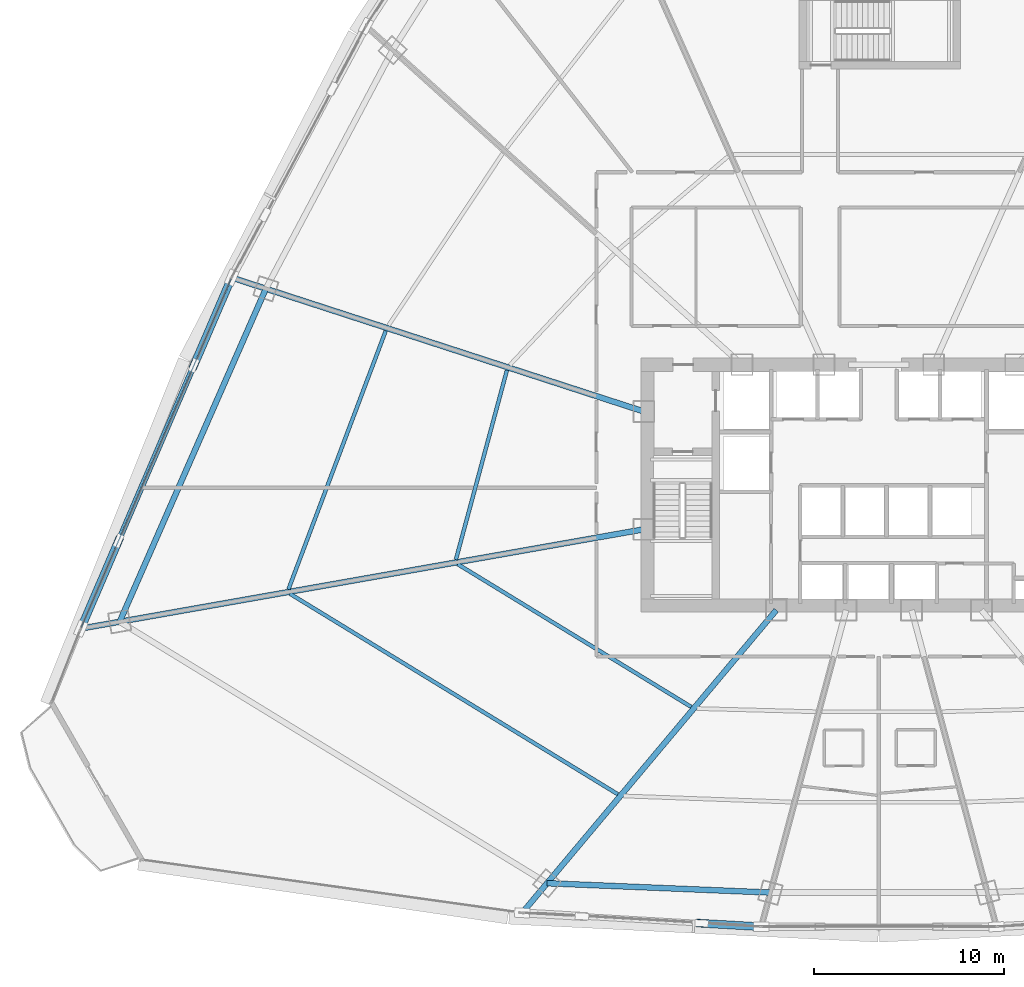
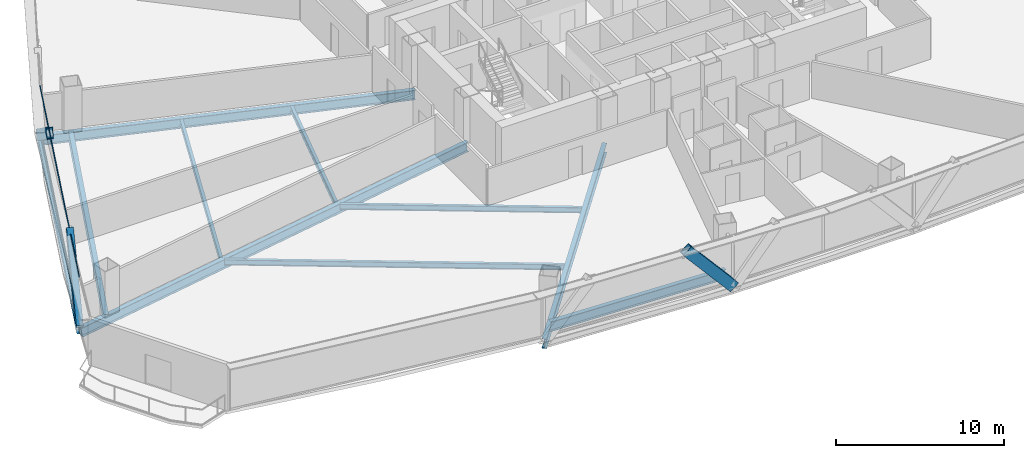
# One storey, part 7 of 38: 10 beams, 5 members, 1 element without a shape of its own.
"""IFC4 building model written with IfcOpenShell, lengths in metres."""

from ifc_helpers import new_model, si_unit, direction, frame, origin, origin_2d, place, context, subcontext, project, spatial, hollow_rectangle, i_section, extrude, source, transform, mapped, material, layer, layer_set, material_profile, profile_set, type_object, element, aggregate, save


model = new_model("IFC4")

# Units and contexts
model_context = context("Model", 3, precision=1e-05, world=origin(), true_north=direction((0.0, 1.0)))
body_context = subcontext(model_context, "Body", "Model", "MODEL_VIEW")
ifc_project = project(units=[si_unit("LENGTHUNIT", "METRE"), si_unit("AREAUNIT", "SQUARE_METRE"), si_unit("VOLUMEUNIT", "CUBIC_METRE"), si_unit("PLANEANGLEUNIT", "RADIAN"), si_unit("MASSUNIT", "GRAM", prefix="KILO"), si_unit("THERMODYNAMICTEMPERATUREUNIT", "KELVIN"), si_unit("POWERUNIT", "WATT")], contexts=[model_context])

# Site, building, storey
site_placement = place(None, origin())
site = spatial("IfcSite", under=ifc_project, at=site_placement, CompositionType="ELEMENT")
building_placement = place(site_placement, origin())
building = spatial("IfcBuilding", under=site, at=building_placement, Name="Yunzhuo Pagoda Commons", CompositionType="ELEMENT")
storey_placement = place(building_placement, frame((0.0, 0.0, 34.030029296875)))
storey = spatial("IfcBuildingStorey", under=building, at=storey_placement, Name="L08", CompositionType="ELEMENT", Elevation=34.030029296875)

# Beams
ifc_material_1 = material(Name="Structural steel Q355B", Category="steel")
ifc_material_profile_1 = material_profile(ifc_material_1, i_section(OverallWidth=0.300048828125, OverallDepth=0.699951171875, WebThickness=0.012939453125, FlangeThickness=0.02392578125, at=origin_2d()), Name="Structural steel Q355B")
ifc_profile_set_1 = profile_set([ifc_material_profile_1], Name="Structural steel Q355B")
beam_type_1 = type_object("IfcBeamType", Name="B-RG1 Beam HN 700x300x13x24", PredefinedType="BEAM", material=ifc_profile_set_1)
shared_shape_1 = source(origin(), body_context, "Body", "SweptSolid", [
    extrude(i_section(OverallWidth=0.300048828125, OverallDepth=0.699951171875, WebThickness=0.012939453125, FlangeThickness=0.02392578125, at=origin_2d()), origin(), (0.0, 0.0, 1.0), 11.7900390625),
])
beam_1_placement = place(storey_placement, frame((30.5, 12.844482421875, -0.610107421875), z_axis=(0.99912739354, -0.041766631146, 0.0), x_axis=(0.041766631146, 0.99912739354, 0.0)))
element("IfcBeam", 1, at=beam_1_placement, inside=storey, type_object=beam_type_1, Name="L08 column-ring beam 1", PredefinedType="BEAM", context=body_context, shape_type="MappedRepresentation", body=[
    mapped(shared_shape_1, transform((0.0, 0.0, 0.0), scale=1.0)),
])
shared_shape_2 = source(origin(), body_context, "Body", "SweptSolid", [
    extrude(i_section(OverallWidth=0.300048828125, OverallDepth=0.699951171875, WebThickness=0.012939453125, FlangeThickness=0.02392578125, at=origin_2d()), origin(), (0.0, 0.0, 1.0), 19.18603515625),
])
beam_2_placement = place(storey_placement, frame((15.66455078125, 44.206298828125, -0.610107421875), z_axis=(-0.40196534204, -0.915654882474, 0.0), x_axis=(0.915654882474, -0.40196534204, 0.0)))
element("IfcBeam", 2, at=beam_2_placement, inside=storey, type_object=beam_type_1, Name="L08 column-ring beam 11", PredefinedType="BEAM", context=body_context, shape_type="MappedRepresentation", body=[
    mapped(shared_shape_2, transform((0.0, 0.0, 0.0), scale=1.0)),
])
shared_shape_3 = source(origin(), body_context, "Body", "SweptSolid", [
    extrude(i_section(OverallWidth=0.300048828125, OverallDepth=0.699951171875, WebThickness=0.012939453125, FlangeThickness=0.02392578125, at=origin_2d()), origin(), (0.0, 0.0, 1.0), 20.693115234375),
])
beam_3_placement = place(storey_placement, frame((29.28662109375, 11.398193359375, -0.610107421875), z_axis=(0.642788302359, 0.766043861897, 0.0), x_axis=(-0.766043861897, 0.642788302359, 0.0)))
element("IfcBeam", 3, at=beam_3_placement, inside=storey, type_object=beam_type_1, Name="L08 radial floor girder F1C1", PredefinedType="BEAM", context=body_context, shape_type="MappedRepresentation", body=[
    mapped(shared_shape_3, transform((0.0, 0.0, 0.0), scale=1.0)),
])
shared_shape_4 = source(origin(), body_context, "Body", "SweptSolid", [
    extrude(i_section(OverallWidth=0.300048828125, OverallDepth=0.699951171875, WebThickness=0.012939453125, FlangeThickness=0.02392578125, at=origin_2d()), origin(), (0.0, 0.0, 1.0), 30.001708984375),
])
beam_4_placement = place(storey_placement, frame((6.05419921875, 26.3037109375, -0.610107421875), z_axis=(0.984807879934, 0.173647457857, 0.0), x_axis=(-0.173647457857, 0.984807879934, 0.0)))
element("IfcBeam", 4, at=beam_4_placement, inside=storey, type_object=beam_type_1, Name="L08 radial floor girder F3C4", PredefinedType="BEAM", context=body_context, shape_type="MappedRepresentation", body=[
    mapped(shared_shape_4, transform((0.0, 0.0, 0.0), scale=1.0)),
])
shared_shape_5 = source(origin(), body_context, "Body", "SweptSolid", [
    extrude(i_section(OverallWidth=0.300048828125, OverallDepth=0.699951171875, WebThickness=0.012939453125, FlangeThickness=0.02392578125, at=origin_2d()), origin(), (0.0, 0.0, 1.0), 22.70458984375),
])
beam_5_placement = place(storey_placement, frame((14.0068359375, 44.7451171875, -0.610107421875), z_axis=(0.951056034213, -0.309018478068, 0.0), x_axis=(0.309018478068, 0.951056034213, 0.0)))
element("IfcBeam", 5, at=beam_5_placement, inside=storey, type_object=beam_type_1, Name="L08 radial floor girder F3C3", PredefinedType="BEAM", context=body_context, shape_type="MappedRepresentation", body=[
    mapped(shared_shape_5, transform((0.0, 0.0, 0.0), scale=1.0)),
])
ifc_material_profile_2 = material_profile(ifc_material_1, i_section(OverallWidth=0.300048828125, OverallDepth=0.488037109375, WebThickness=0.010986328125, FlangeThickness=0.01806640625, at=origin_2d()), Name="Structural steel Q355B")
ifc_profile_set_2 = profile_set([ifc_material_profile_2], Name="Structural steel Q355B")
beam_type_2 = type_object("IfcBeamType", Name="B-SP1 Beam HM 488x300x11x18", PredefinedType="BEAM", material=ifc_profile_set_2)
shared_shape_6 = source(origin(), body_context, "Body", "SweptSolid", [
    extrude(i_section(OverallWidth=0.300048828125, OverallDepth=0.488037109375, WebThickness=0.010986328125, FlangeThickness=0.01806640625, at=origin_2d()), origin(), (0.0, 0.0, 1.0), 20.153564453125),
])
beam_6_placement = place(storey_placement, frame((13.859375, 44.79296875, -0.504150390625), z_axis=(-0.39485772382, -0.918742280479, 0.0), x_axis=(0.918742280479, -0.39485772382, 0.0)))
element("IfcBeam", 6, at=beam_6_placement, inside=storey, type_object=beam_type_2, Name="L08 facade edge spandrel beam F3.3", PredefinedType="BEAM", context=body_context, shape_type="MappedRepresentation", body=[
    mapped(shared_shape_6, transform((0.0, 0.0, 0.0), scale=1.0)),
])
ifc_material_profile_3 = material_profile(ifc_material_1, i_section(OverallWidth=0.199951171875, OverallDepth=0.39990234375, WebThickness=0.008056640625, FlangeThickness=0.012939453125, at=origin_2d()), Name="Structural steel Q355B")
ifc_profile_set_3 = profile_set([ifc_material_profile_3], Name="Structural steel Q355B")
beam_type_3 = type_object("IfcBeamType", Name="B-JS1 Joist HN 400x200x8x13", PredefinedType="JOIST", material=ifc_profile_set_3)
shared_shape_7 = source(origin(), body_context, "Body", "SweptSolid", [
    extrude(i_section(OverallWidth=0.199951171875, OverallDepth=0.39990234375, WebThickness=0.008056640625, FlangeThickness=0.012939453125, at=origin_2d()), origin(), (0.0, 0.0, 1.0), 14.4365234375),
])
beam_7_placement = place(storey_placement, frame((25.782470703125, 29.675537109375, -0.4599609375), z_axis=(0.85325633277, -0.521491735876, 0.0), x_axis=(0.521491735876, 0.85325633277, 0.0)))
element("IfcBeam", 7, at=beam_7_placement, inside=storey, type_object=beam_type_3, Name="L08 composite ring joist 1.12", PredefinedType="JOIST", context=body_context, shape_type="MappedRepresentation", body=[
    mapped(shared_shape_7, transform((0.0, 0.0, 0.0), scale=1.0)),
])
shared_shape_8 = source(origin(), body_context, "Body", "SweptSolid", [
    extrude(i_section(OverallWidth=0.199951171875, OverallDepth=0.39990234375, WebThickness=0.008056640625, FlangeThickness=0.012939453125, at=origin_2d()), origin(), (0.0, 0.0, 1.0), 20.275634765625),
])
beam_8_placement = place(storey_placement, frame((16.935302734375, 28.11572265625, -0.4599609375), z_axis=(0.853102898066, -0.521742700295, 0.0), x_axis=(0.521742700295, 0.853102898066, 0.0)))
element("IfcBeam", 8, at=beam_8_placement, inside=storey, type_object=beam_type_3, Name="L08 composite ring joist 2.12", PredefinedType="JOIST", context=body_context, shape_type="MappedRepresentation", body=[
    mapped(shared_shape_8, transform((0.0, 0.0, 0.0), scale=1.0)),
])
shared_shape_9 = source(origin(), body_context, "Body", "SweptSolid", [
    extrude(i_section(OverallWidth=0.199951171875, OverallDepth=0.39990234375, WebThickness=0.008056640625, FlangeThickness=0.012939453125, at=origin_2d()), origin(), (0.0, 0.0, 1.0), 10.351806640625),
])
beam_9_placement = place(storey_placement, frame((28.3818359375, 39.9072265625, -0.4599609375), z_axis=(-0.260208595802, -0.965552425646, 0.0), x_axis=(0.965552425646, -0.260208595802, 0.0)))
element("IfcBeam", 9, at=beam_9_placement, inside=storey, type_object=beam_type_3, Name="L08 composite ring joist 1.11", PredefinedType="JOIST", context=body_context, shape_type="MappedRepresentation", body=[
    mapped(shared_shape_9, transform((0.0, 0.0, 0.0), scale=1.0)),
])
shared_shape_10 = source(origin(), body_context, "Body", "SweptSolid", [
    extrude(i_section(OverallWidth=0.199951171875, OverallDepth=0.39990234375, WebThickness=0.008056640625, FlangeThickness=0.012939453125, at=origin_2d()), origin(), (0.0, 0.0, 1.0), 14.571044921875),
])
beam_10_placement = place(storey_placement, frame((21.98779296875, 41.98486328125, -0.4599609375), z_axis=(-0.352208383632, -0.935921607027, 0.0), x_axis=(0.935921607027, -0.352208383632, 0.0)))
element("IfcBeam", 10, at=beam_10_placement, inside=storey, type_object=beam_type_3, Name="L08 composite ring joist 2.11", PredefinedType="JOIST", context=body_context, shape_type="MappedRepresentation", body=[
    mapped(shared_shape_10, transform((0.0, 0.0, 0.0), scale=1.0)),
])

# Members
ifc_material_2 = material(Name="Structural steel Q420B", Category="steel")
ifc_material_profile_4 = material_profile(ifc_material_2, hollow_rectangle(XDim=0.419921875, YDim=0.719970703125, WallThickness=0.028076171875, at=origin_2d()), Name="Structural steel Q420B")
ifc_profile_set_4 = profile_set([ifc_material_profile_4], Name="Structural steel Q420B")
member_type_1 = type_object("IfcMemberType", Name="M-DL1 Brace BOX 720x420x28", PredefinedType="BRACE", material=ifc_profile_set_4)
shared_shape_11 = source(origin(), body_context, "Body", "SweptSolid", [
    extrude(hollow_rectangle(XDim=0.419921875, YDim=0.719970703125, WallThickness=0.028076171875, at=origin_2d()), origin(), (0.0, 0.0, 1.0), 4.81103515625),
])
member_1_placement = place(storey_placement, frame((41.79638671875, 10.548095703125, -0.259765625), z_axis=(-0.655247097181, 0.038009609339, 0.754457759742), x_axis=(-0.05791070349, -0.998321766978, 0.0)))
element("IfcMember", 11, at=member_1_placement, inside=storey, type_object=member_type_1, Name="L08 facade diamond brace F1.1R", PredefinedType="BRACE", context=body_context, shape_type="MappedRepresentation", body=[
    mapped(shared_shape_11, transform((0.0, 0.0, 0.0), scale=1.0)),
])
shared_shape_12 = source(origin(), body_context, "Body", "SweptSolid", [
    extrude(hollow_rectangle(XDim=0.419921875, YDim=0.719970703125, WallThickness=0.028076171875, at=origin_2d()), origin(), (0.0, 0.0, 1.0), 6.209716796875),
])
member_2_placement = place(storey_placement, frame((5.901611328125, 26.277099609375, -0.259765625), z_axis=(0.320391173185, 0.745443200833, 0.584520256687), x_axis=(-0.918735996941, 0.394872343833, 0.0)))
element("IfcMember", 12, at=member_2_placement, inside=storey, type_object=member_type_1, Name="L08 facade diamond brace F3.3R", PredefinedType="BRACE", context=body_context, shape_type="MappedRepresentation", body=[
    mapped(shared_shape_12, transform((0.0, 0.0, 0.0), scale=1.0)),
])
shared_shape_13 = source(origin(), body_context, "Body", "SweptSolid", [
    extrude(hollow_rectangle(XDim=0.419921875, YDim=0.719970703125, WallThickness=0.028076171875, at=origin_2d()), origin(), (0.0, 0.0, 1.0), 6.20947265625),
])
member_3_placement = place(storey_placement, frame((13.859375, 44.79296875, -0.259765625), z_axis=(-0.320400563474, -0.745425731121, 0.584537388289), x_axis=(0.918728440891, -0.394889923773, 0.0)))
element("IfcMember", 13, at=member_3_placement, inside=storey, type_object=member_type_1, Name="L08 facade diamond brace F3.3L", PredefinedType="BRACE", context=body_context, shape_type="MappedRepresentation", body=[
    mapped(shared_shape_13, transform((0.0, 0.0, 0.0), scale=1.0)),
])

# Curtain wall, members
ifc_material_3 = material(Name="Anodized aluminium 6063-T6", Category="aluminium")
ifc_layer = layer(ifc_material_3, 0.1650390625)
ifc_layer_set = layer_set([ifc_layer], Name="Anodized aluminium 6063-T6")
curtain_wall_type = type_object("IfcCurtainWallType", Name="CW-LOW Low-Zone Ribbon Curtain Wall", PredefinedType="NOTDEFINED", material=ifc_layer_set)
curtain_wall_placement = place(storey_placement, origin())
curtain_wall = element("IfcCurtainWall", 14, at=curtain_wall_placement, inside=storey, type_object=curtain_wall_type, Name="L08 curtain wall CW-L08-F3B4", PredefinedType="NOTDEFINED")
ifc_material_profile_5 = material_profile(ifc_material_3, hollow_rectangle(XDim=0.06005859375, YDim=0.139892578125, WallThickness=0.00341796875, at=origin_2d()), Name="Anodized aluminium 6063-T6")
ifc_profile_set_5 = profile_set([ifc_material_profile_5], Name="Anodized aluminium 6063-T6")
member_type_2 = type_object("IfcMemberType", Name="CW-LOW-T Transom RHS 140x60x3.5", PredefinedType="USERDEFINED", material=ifc_profile_set_5)
shared_shape_14 = source(origin(), body_context, "Body", "SweptSolid", [
    extrude(hollow_rectangle(XDim=0.06005859375, YDim=0.139892578125, WallThickness=0.00341796875, at=origin_2d()), origin(), (0.0, 0.0, 1.0), 20.023681640625),
])
member_4_placement = place(storey_placement, frame((13.833740234375, 44.7333984375, 0.030029296875), z_axis=(-0.394854975911, -0.918743461473, 0.0), x_axis=(0.918743461473, -0.394854975911, 0.0)))
member_4 = element("IfcMember", 15, at=member_4_placement, type_object=member_type_2, Name="CW transom 1.1", ObjectType="TRANSOM", PredefinedType="USERDEFINED", context=body_context, shape_type="MappedRepresentation", body=[
    mapped(shared_shape_14, transform((0.0, 0.0, 0.0), scale=1.0)),
])
member_5_placement = place(storey_placement, frame((13.833740234375, 44.7333984375, 3.340087890625), z_axis=(-0.394854975911, -0.918743461473, 0.0), x_axis=(0.918743461473, -0.394854975911, 0.0)))
member_5 = element("IfcMember", 16, at=member_5_placement, type_object=member_type_2, Name="CW transom 1.2", ObjectType="TRANSOM", PredefinedType="USERDEFINED", context=body_context, shape_type="MappedRepresentation", body=[
    mapped(shared_shape_14, transform((0.0, 0.0, 0.0), scale=1.0)),
])
aggregate(curtain_wall, [member_4, member_5])

save(model, "model.ifc")
